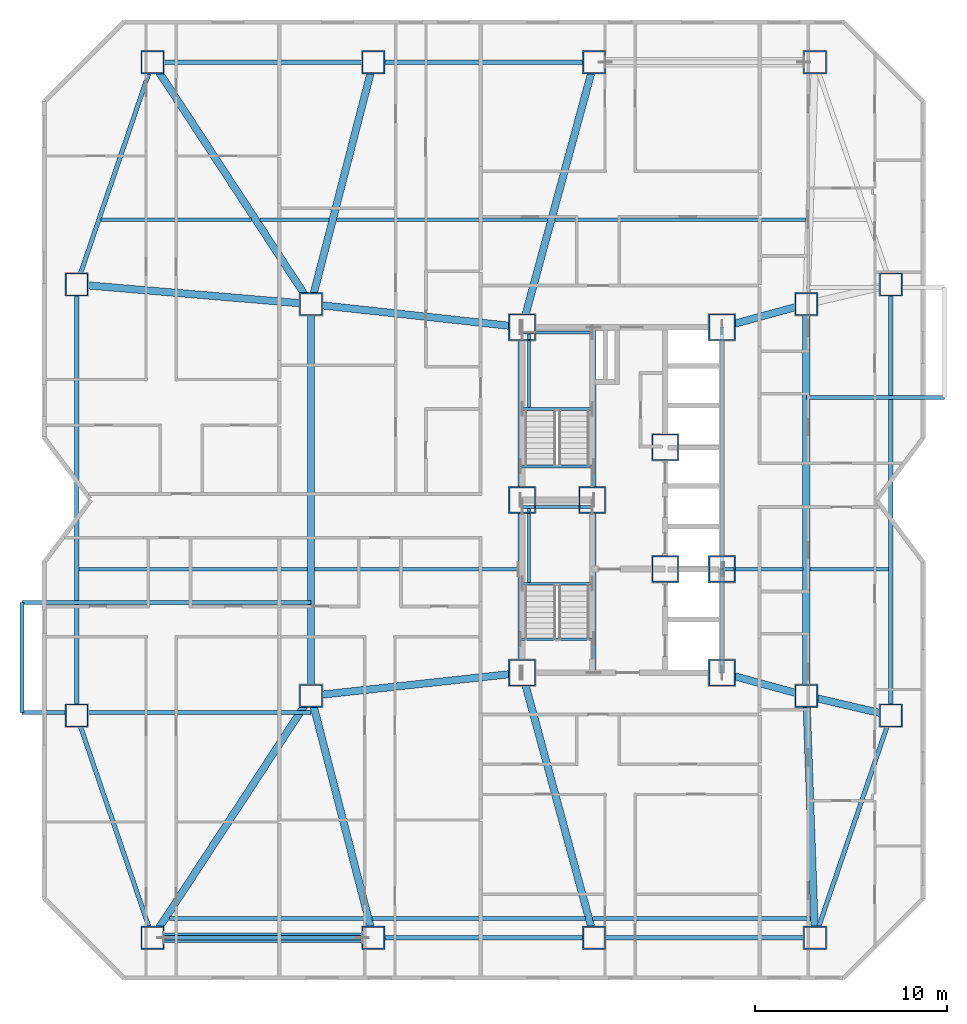
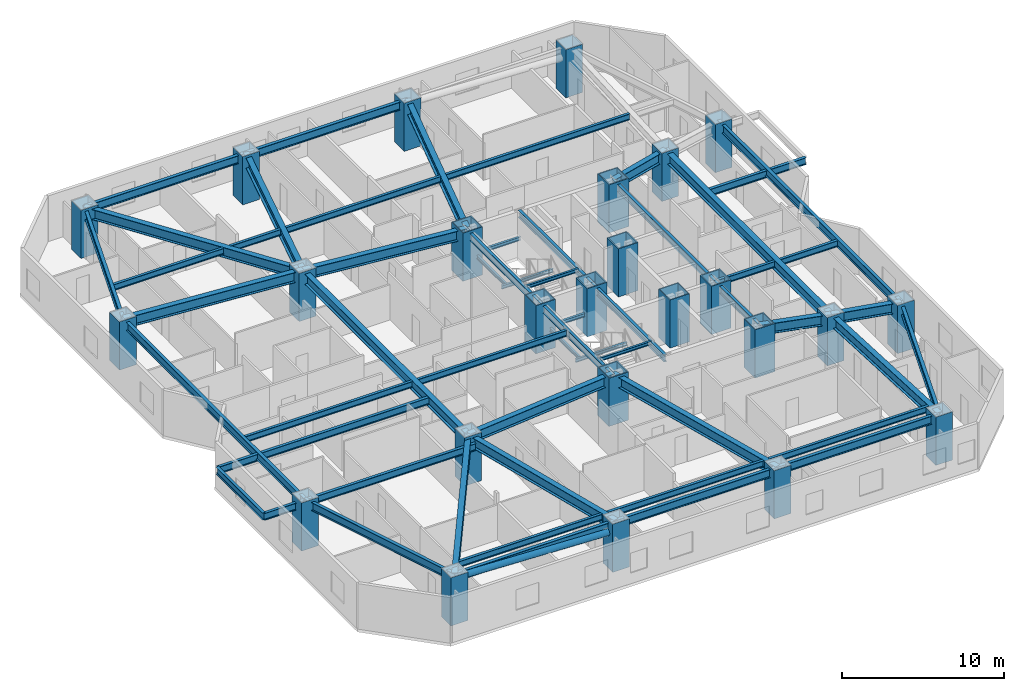
# One storey, part 1 of 14: 54 beams, 25 columns, 1 member.
"""IFC4 building model written with IfcOpenShell, lengths in metres."""

from ifc_helpers import new_model, si_unit, direction, frame, origin, origin_2d, place, context, subcontext, project, spatial, hollow_rectangle, hollow_circle, i_section, extrude, material, material_profile, profile_set, type_object, element, save


model = new_model("IFC4")

# Units and contexts
model_context = context("Model", 3, precision=1e-05, world=origin(), true_north=direction((0.0, 1.0)))
body_context = subcontext(model_context, "Body", "Model", "MODEL_VIEW")
ifc_project = project(units=[si_unit("LENGTHUNIT", "METRE"), si_unit("AREAUNIT", "SQUARE_METRE"), si_unit("VOLUMEUNIT", "CUBIC_METRE"), si_unit("PLANEANGLEUNIT", "RADIAN"), si_unit("MASSUNIT", "GRAM", prefix="KILO")], contexts=[model_context])

# Site, building, storey
site_placement = place(None, origin())
site = spatial("IfcSite", under=ifc_project, at=site_placement, CompositionType="ELEMENT")
building_placement = place(site_placement, origin())
building = spatial("IfcBuilding", under=site, at=building_placement, Name="Khamvora Tower", CompositionType="ELEMENT")
storey_placement = place(building_placement, frame((0.0, 0.0, 40.60009765625)))
storey = spatial("IfcBuildingStorey", under=building, at=storey_placement, Name="L09", CompositionType="ELEMENT", Elevation=40.60009765625)

# Columns
ifc_material_1 = material(Name="Steel S460", Category="steel")
ifc_material_profile_1 = material_profile(ifc_material_1, hollow_rectangle(XDim=1.199951171875, YDim=1.199951171875, WallThickness=0.06005859375, at=origin_2d()), Name="BOX1200x1200x60")
ifc_profile_set_1 = profile_set([ifc_material_profile_1], Name="Steel S460")
column_type_1 = type_object("IfcColumnType", Name="COL-BOX1200", PredefinedType="COLUMN", material=ifc_profile_set_1)
for number, where, z_axis, x_axis, name in (
    (1, (9.75, 5.199951171875, 0.0), (0.0, 0.0, 1.0), (1.0, 0.0, 0.0), "L09 structural frame column S1"),
    (2, (21.25, 5.199951171875, 0.0), (0.0, 0.0, 1.0), (1.0, 0.0, 0.0), "L09 structural frame column S2"),
    (3, (32.75, 5.199951171875, 0.0), (0.0, 0.0, 1.0), (1.0, 0.0, 0.0), "L09 structural frame column S3"),
    (4, (44.25, 5.199951171875, 0.0), (0.0, 0.0, 1.0), (1.0, 0.0, 0.0), "L09 structural frame column S4"),
    (5, (9.75, 50.800048828125, 0.0), (0.0, 0.0, 1.0), (1.0, 0.0, 0.0), "L09 structural frame column N1"),
    (6, (21.25, 50.800048828125, 0.0), (0.0, 0.0, 1.0), (1.0, 0.0, 0.0), "L09 structural frame column N2"),
    (7, (32.75, 50.800048828125, 0.0), (0.0, 0.0, 1.0), (1.0, 0.0, 0.0), "L09 structural frame column N3"),
    (8, (44.25, 50.800048828125, 0.0), (0.0, 0.0, 1.0), (1.0, 0.0, 0.0), "L09 structural frame column N4"),
    (9, (5.800048828125, 16.77490234375, 0.0), (0.0, 0.0, 1.0), (1.0, 0.0, 0.0), "L09 structural frame column W1"),
    (10, (5.800048828125, 39.22509765625, 0.0), (0.0, 0.0, 1.0), (1.0, 0.0, 0.0), "L09 structural frame column W2"),
    (11, (48.199951171875, 16.77490234375, 0.0), (0.0, 0.0, 1.0), (1.0, 0.0, 0.0), "L09 structural frame column E1"),
    (12, (48.199951171875, 39.22509765625, 0.0), (0.0, 0.0, 1.0), (1.0, 0.0, 0.0), "L09 structural frame column E2"),
    (13, (18.0, 17.800048828125, 0.0), (0.0, 0.0, 1.0), (1.0, 0.0, 0.0), "L09 structural frame column MW1"),
    (14, (18.0, 38.199951171875, 0.0), (0.0, 0.0, 1.0), (1.0, 0.0, 0.0), "L09 structural frame column MW2"),
    (15, (43.800048828125, 17.800048828125, 0.0), (0.0, 0.0, 1.0), (1.0, 0.0, 0.0), "L09 structural frame column M1"),
    (16, (43.800048828125, 38.199951171875, 0.0), (0.0, 0.0, 1.0), (1.0, 0.0, 0.0), "L09 structural frame column M2"),
):
    element("IfcColumn", number, at=place(storey_placement, frame(where, z_axis=z_axis, x_axis=x_axis)), inside=storey, type_object=column_type_1, Name=name, PredefinedType="COLUMN", context=body_context, shape_type="SweptSolid", body=[
        extrude(hollow_rectangle(XDim=1.199951171875, YDim=1.199951171875, WallThickness=0.06005859375, at=origin_2d()), origin(), (0.0, 0.0, 1.0), 3.625),
    ])
ifc_material_profile_2 = material_profile(ifc_material_1, hollow_rectangle(XDim=1.39990234375, YDim=1.39990234375, WallThickness=0.070068359375, at=origin_2d()), Name="BOX1400x1400x70")
ifc_profile_set_2 = profile_set([ifc_material_profile_2], Name="Steel S460")
column_type_2 = type_object("IfcColumnType", Name="COL-BOX1400", PredefinedType="COLUMN", material=ifc_profile_set_2)
for number, where, z_axis, x_axis, name in (
    (17, (29.0, 19.0, 0.0), (0.0, 0.0, 1.0), (1.0, 0.0, 0.0), "L09 plumb core spine column SC1"),
    (18, (32.64990234375, 28.0, 0.0), (0.0, 0.0, 1.0), (1.0, 0.0, 0.0), "L09 plumb core spine column SC2"),
    (19, (39.39990234375, 19.0, 0.0), (0.0, 0.0, 1.0), (1.0, 0.0, 0.0), "L09 plumb core spine column SC3"),
    (20, (29.0, 28.0, 0.0), (0.0, 0.0, 1.0), (1.0, 0.0, 0.0), "L09 plumb core spine column SC4"),
    (21, (36.449951171875, 24.39990234375, 0.0), (0.0, 0.0, 1.0), (1.0, 0.0, 0.0), "L09 plumb core spine column SC5"),
    (22, (39.39990234375, 24.39990234375, 0.0), (0.0, 0.0, 1.0), (1.0, 0.0, 0.0), "L09 plumb core spine column SC6"),
    (23, (29.0, 37.0, 0.0), (0.0, 0.0, 1.0), (1.0, 0.0, 0.0), "L09 plumb core spine column SC7"),
    (24, (36.449951171875, 30.75, 0.0), (0.0, 0.0, 1.0), (1.0, 0.0, 0.0), "L09 plumb core spine column SC8"),
    (25, (39.39990234375, 37.0, 0.0), (0.0, 0.0, 1.0), (1.0, 0.0, 0.0), "L09 plumb core spine column SC9"),
):
    element("IfcColumn", number, at=place(storey_placement, frame(where, z_axis=z_axis, x_axis=x_axis)), inside=storey, type_object=column_type_2, Name=name, PredefinedType="COLUMN", context=body_context, shape_type="SweptSolid", body=[
        extrude(hollow_rectangle(XDim=1.39990234375, YDim=1.39990234375, WallThickness=0.070068359375, at=origin_2d()), origin(), (0.0, 0.0, 1.0), 3.625),
    ])

# Beams
ifc_material_2 = material(Name="Steel S355", Category="steel")
ifc_material_profile_3 = material_profile(ifc_material_2, i_section(OverallWidth=0.19189453125, OverallDepth=0.462890625, WebThickness=0.010986328125, FlangeThickness=0.01806640625, FilletRadius=0.011962890625, at=origin_2d()), Name="W460x89")
ifc_profile_set_3 = profile_set([ifc_material_profile_3], Name="Steel S355")
beam_type_1 = type_object("IfcBeamType", Name="BM-JS-W460x89", PredefinedType="JOIST", material=ifc_profile_set_3)
beam_1_placement = place(storey_placement, frame((10.626953125, 6.199951171875, 3.198974609375), z_axis=(1.0, 0.0, 0.0), x_axis=(0.0, 1.0, 0.0)))
element("IfcBeam", 26, at=beam_1_placement, inside=storey, type_object=beam_type_1, Name="L09 secondary floor joist 01", PredefinedType="JOIST", context=body_context, shape_type="SweptSolid", body=[
    extrude(i_section(OverallWidth=0.19189453125, OverallDepth=0.462890625, WebThickness=0.010986328125, FlangeThickness=0.01806640625, FilletRadius=0.011962890625, at=origin_2d()), origin(), (0.0, 0.0, 1.0), 10.173095703125),
])
beam_2_placement = place(storey_placement, frame((21.18408203125, 6.199951171875, 3.198974609375), z_axis=(1.0, 0.0, 0.0), x_axis=(0.0, 1.0, 0.0)))
element("IfcBeam", 27, at=beam_2_placement, inside=storey, type_object=beam_type_1, Name="L09 secondary floor joist 02", PredefinedType="JOIST", context=body_context, shape_type="SweptSolid", body=[
    extrude(i_section(OverallWidth=0.19189453125, OverallDepth=0.462890625, WebThickness=0.010986328125, FlangeThickness=0.01806640625, FilletRadius=0.011962890625, at=origin_2d()), origin(), (0.0, 0.0, 1.0), 11.101806640625),
])
beam_3_placement = place(storey_placement, frame((32.6708984375, 6.199951171875, 3.198974609375), z_axis=(1.0, 0.0, 0.0), x_axis=(0.0, 1.0, 0.0)))
element("IfcBeam", 28, at=beam_3_placement, inside=storey, type_object=beam_type_1, Name="L09 secondary floor joist 03", PredefinedType="JOIST", context=body_context, shape_type="SweptSolid", body=[
    extrude(i_section(OverallWidth=0.19189453125, OverallDepth=0.462890625, WebThickness=0.010986328125, FlangeThickness=0.01806640625, FilletRadius=0.011962890625, at=origin_2d()), origin(), (0.0, 0.0, 1.0), 11.358154296875),
])
beam_4_placement = place(storey_placement, frame((5.909912109375, 24.39990234375, 3.198974609375), z_axis=(1.0, 0.0, 0.0), x_axis=(0.0, 1.0, 0.0)))
element("IfcBeam", 29, at=beam_4_placement, inside=storey, type_object=beam_type_1, Name="L09 secondary floor joist 04", PredefinedType="JOIST", context=body_context, shape_type="SweptSolid", body=[
    extrude(i_section(OverallWidth=0.19189453125, OverallDepth=0.462890625, WebThickness=0.010986328125, FlangeThickness=0.01806640625, FilletRadius=0.011962890625, at=origin_2d()), origin(), (0.0, 0.0, 1.0), 11.904052734375),
])
beam_5_placement = place(storey_placement, frame((18.18603515625, 24.39990234375, 3.198974609375), z_axis=(1.0, 0.0, 0.0), x_axis=(0.0, 1.0, 0.0)))
element("IfcBeam", 30, at=beam_5_placement, inside=storey, type_object=beam_type_1, Name="L09 secondary floor joist 05", PredefinedType="JOIST", context=body_context, shape_type="SweptSolid", body=[
    extrude(i_section(OverallWidth=0.19189453125, OverallDepth=0.462890625, WebThickness=0.010986328125, FlangeThickness=0.01806640625, FilletRadius=0.011962890625, at=origin_2d()), origin(), (0.0, 0.0, 1.0), 10.614013671875),
])
beam_6_placement = place(storey_placement, frame((39.4990234375, 24.39990234375, 3.198974609375), z_axis=(1.0, 0.0, 0.0), x_axis=(0.0, 1.0, 0.0)))
element("IfcBeam", 31, at=beam_6_placement, inside=storey, type_object=beam_type_1, Name="L09 secondary floor joist 06", PredefinedType="JOIST", context=body_context, shape_type="SweptSolid", body=[
    extrude(i_section(OverallWidth=0.19189453125, OverallDepth=0.462890625, WebThickness=0.010986328125, FlangeThickness=0.01806640625, FilletRadius=0.011962890625, at=origin_2d()), origin(), (0.0, 0.0, 1.0), 4.114990234375),
])
beam_7_placement = place(storey_placement, frame((43.985107421875, 24.39990234375, 3.198974609375), z_axis=(1.0, 0.0, 0.0), x_axis=(0.0, 1.0, 0.0)))
element("IfcBeam", 32, at=beam_7_placement, inside=storey, type_object=beam_type_1, Name="L09 secondary floor joist 07", PredefinedType="JOIST", context=body_context, shape_type="SweptSolid", body=[
    extrude(i_section(OverallWidth=0.19189453125, OverallDepth=0.462890625, WebThickness=0.010986328125, FlangeThickness=0.01806640625, FilletRadius=0.011962890625, at=origin_2d()), origin(), (0.0, 0.0, 1.0), 4.10498046875),
])
beam_8_placement = place(storey_placement, frame((7.068115234375, 42.60009765625, 3.198974609375), z_axis=(1.0, 0.0, 0.0), x_axis=(0.0, 1.0, 0.0)))
element("IfcBeam", 33, at=beam_8_placement, inside=storey, type_object=beam_type_1, Name="L09 secondary floor joist 08", PredefinedType="JOIST", context=body_context, shape_type="SweptSolid", body=[
    extrude(i_section(OverallWidth=0.19189453125, OverallDepth=0.462890625, WebThickness=0.010986328125, FlangeThickness=0.01806640625, FilletRadius=0.011962890625, at=origin_2d()), origin(), (0.0, 0.0, 1.0), 7.827880859375),
])
beam_9_placement = place(storey_placement, frame((15.342041015625, 42.60009765625, 3.198974609375), z_axis=(1.0, 0.0, 0.0), x_axis=(0.0, 1.0, 0.0)))
element("IfcBeam", 34, at=beam_9_placement, inside=storey, type_object=beam_type_1, Name="L09 secondary floor joist 09", PredefinedType="JOIST", context=body_context, shape_type="SweptSolid", body=[
    extrude(i_section(OverallWidth=0.19189453125, OverallDepth=0.462890625, WebThickness=0.010986328125, FlangeThickness=0.01806640625, FilletRadius=0.011962890625, at=origin_2d()), origin(), (0.0, 0.0, 1.0), 3.60107421875),
])
beam_10_placement = place(storey_placement, frame((19.326904296875, 42.60009765625, 3.198974609375), z_axis=(1.0, 0.0, 0.0), x_axis=(0.0, 1.0, 0.0)))
element("IfcBeam", 35, at=beam_10_placement, inside=storey, type_object=beam_type_1, Name="L09 secondary floor joist 10", PredefinedType="JOIST", context=body_context, shape_type="SweptSolid", body=[
    extrude(i_section(OverallWidth=0.19189453125, OverallDepth=0.462890625, WebThickness=0.010986328125, FlangeThickness=0.01806640625, FilletRadius=0.011962890625, at=origin_2d()), origin(), (0.0, 0.0, 1.0), 11.002197265625),
])
beam_11_placement = place(storey_placement, frame((30.714111328125, 42.60009765625, 3.198974609375), z_axis=(1.0, 0.0, 0.0), x_axis=(0.0, 1.0, 0.0)))
element("IfcBeam", 36, at=beam_11_placement, inside=storey, type_object=beam_type_1, Name="L09 secondary floor joist 11", PredefinedType="JOIST", context=body_context, shape_type="SweptSolid", body=[
    extrude(i_section(OverallWidth=0.19189453125, OverallDepth=0.462890625, WebThickness=0.010986328125, FlangeThickness=0.01806640625, FilletRadius=0.011962890625, at=origin_2d()), origin(), (0.0, 0.0, 1.0), 13.057861328125),
])
ifc_material_profile_4 = material_profile(ifc_material_2, i_section(OverallWidth=0.14697265625, OverallDepth=0.261962890625, WebThickness=0.007080078125, FlangeThickness=0.010986328125, FilletRadius=0.008056640625, at=origin_2d()), Name="W250x39")
ifc_profile_set_4 = profile_set([ifc_material_profile_4], Name="Steel S355")
beam_type_2 = type_object("IfcBeamType", Name="BM-LN-W250x39", PredefinedType="LINTEL", material=ifc_profile_set_4)
for number, where, z_axis, x_axis, name in (
    (37, (29.0, 23.635009765625, 1.493896484375), (1.0, 0.0, 0.0), (0.0, 1.0, 0.0), "L09 ST-01 half-landing support beam 1.1"),
    (38, (29.0, 27.6298828125, 1.493896484375), (1.0, 0.0, 0.0), (0.0, 1.0, 0.0), "L09 ST-01 half-landing support beam 1.2"),
):
    element("IfcBeam", number, at=place(storey_placement, frame(where, z_axis=z_axis, x_axis=x_axis)), inside=storey, type_object=beam_type_2, Name=name, PredefinedType="LINTEL", context=body_context, shape_type="SweptSolid", body=[
        extrude(i_section(OverallWidth=0.14697265625, OverallDepth=0.261962890625, WebThickness=0.007080078125, FlangeThickness=0.010986328125, FilletRadius=0.008056640625, at=origin_2d()), origin(), (0.0, 0.0, 1.0), 3.64990234375),
    ])
beam_12_placement = place(storey_placement, frame((29.35009765625, 23.635009765625, 1.493896484375), z_axis=(0.0, 1.0, 0.0), x_axis=(-1.0, 0.0, 0.0)))
element("IfcBeam", 39, at=beam_12_placement, inside=storey, type_object=beam_type_2, Name="L09 ST-01 half-landing edge stringer 1", PredefinedType="LINTEL", context=body_context, shape_type="SweptSolid", body=[
    extrude(i_section(OverallWidth=0.14697265625, OverallDepth=0.261962890625, WebThickness=0.007080078125, FlangeThickness=0.010986328125, FilletRadius=0.008056640625, at=origin_2d()), origin(), (0.0, 0.0, 1.0), 3.994873046875),
])
for number, where, z_axis, x_axis, name in (
    (40, (29.0, 32.735107421875, 1.493896484375), (1.0, 0.0, 0.0), (0.0, 1.0, 0.0), "L09 ST-02 half-landing support beam 1.1"),
    (41, (29.0, 36.72998046875, 1.493896484375), (1.0, 0.0, 0.0), (0.0, 1.0, 0.0), "L09 ST-02 half-landing support beam 1.2"),
):
    element("IfcBeam", number, at=place(storey_placement, frame(where, z_axis=z_axis, x_axis=x_axis)), inside=storey, type_object=beam_type_2, Name=name, PredefinedType="LINTEL", context=body_context, shape_type="SweptSolid", body=[
        extrude(i_section(OverallWidth=0.14697265625, OverallDepth=0.261962890625, WebThickness=0.007080078125, FlangeThickness=0.010986328125, FilletRadius=0.008056640625, at=origin_2d()), origin(), (0.0, 0.0, 1.0), 3.64990234375),
    ])
beam_13_placement = place(storey_placement, frame((29.35009765625, 32.735107421875, 1.493896484375), z_axis=(0.0, 1.0, 0.0), x_axis=(-1.0, 0.0, 0.0)))
element("IfcBeam", 42, at=beam_13_placement, inside=storey, type_object=beam_type_2, Name="L09 ST-02 half-landing edge stringer 1", PredefinedType="LINTEL", context=body_context, shape_type="SweptSolid", body=[
    extrude(i_section(OverallWidth=0.14697265625, OverallDepth=0.261962890625, WebThickness=0.007080078125, FlangeThickness=0.010986328125, FilletRadius=0.008056640625, at=origin_2d()), origin(), (0.0, 0.0, 1.0), 3.994873046875),
])
for number, where, z_axis, x_axis, name in (
    (43, (28.89990234375, 20.75, 3.303955078125), (1.0, 0.0, 0.0), (0.0, 1.0, 0.0), "L09 exit stair ST-01 landing trimmer beam"),
    (44, (28.89990234375, 29.75, 3.303955078125), (1.0, 0.0, 0.0), (0.0, 1.0, 0.0), "L09 exit stair ST-02 landing trimmer beam"),
):
    element("IfcBeam", number, at=place(storey_placement, frame(where, z_axis=z_axis, x_axis=x_axis)), inside=storey, type_object=beam_type_2, Name=name, PredefinedType="LINTEL", context=body_context, shape_type="SweptSolid", body=[
        extrude(i_section(OverallWidth=0.14697265625, OverallDepth=0.261962890625, WebThickness=0.007080078125, FlangeThickness=0.010986328125, FilletRadius=0.008056640625, at=origin_2d()), origin(), (0.0, 0.0, 1.0), 3.830078125),
    ])
ifc_material_profile_5 = material_profile(ifc_material_2, i_section(OverallWidth=0.381103515625, OverallDepth=0.77294921875, WebThickness=0.01708984375, FlangeThickness=0.027099609375, FilletRadius=0.01806640625, at=origin_2d()), Name="W760x257")
ifc_profile_set_5 = profile_set([ifc_material_profile_5], Name="Steel S355")
beam_type_3 = type_object("IfcBeamType", Name="BM-PG-W760x257", PredefinedType="BEAM", material=ifc_profile_set_5)
for number, where, z_axis, x_axis, name in (
    (45, (43.800048828125, 17.800048828125, 3.0439453125), (0.0, 1.0, 0.0), (-1.0, 0.0, 0.0), "L09 longitudinal frame girder M1-M2"),
    (46, (18.0, 17.800048828125, 3.0439453125), (0.0, 1.0, 0.0), (-1.0, 0.0, 0.0), "L09 longitudinal frame girder MW1-MW2"),
):
    element("IfcBeam", number, at=place(storey_placement, frame(where, z_axis=z_axis, x_axis=x_axis)), inside=storey, type_object=beam_type_3, Name=name, PredefinedType="BEAM", context=body_context, shape_type="SweptSolid", body=[
        extrude(i_section(OverallWidth=0.381103515625, OverallDepth=0.77294921875, WebThickness=0.01708984375, FlangeThickness=0.027099609375, FilletRadius=0.01806640625, at=origin_2d()), origin(), (0.0, 0.0, 1.0), 20.39990234375),
    ])
beam_14_placement = place(storey_placement, frame((18.0, 17.800048828125, 3.0439453125), z_axis=(-0.547782969742, -0.836620474325, 0.0), x_axis=(0.836620474325, -0.547782969742, 0.0)))
element("IfcBeam", 47, at=beam_14_placement, inside=storey, type_object=beam_type_3, Name="L09 primary floor girder S1", PredefinedType="BEAM", context=body_context, shape_type="SweptSolid", body=[
    extrude(i_section(OverallWidth=0.381103515625, OverallDepth=0.77294921875, WebThickness=0.01708984375, FlangeThickness=0.027099609375, FilletRadius=0.01806640625, at=origin_2d()), origin(), (0.0, 0.0, 1.0), 15.060791015625),
])
beam_15_placement = place(storey_placement, frame((18.0, 17.800048828125, 3.0439453125), z_axis=(0.249759990341, -0.968307775051, 0.0), x_axis=(0.968307775051, 0.249759990341, 0.0)))
element("IfcBeam", 48, at=beam_15_placement, inside=storey, type_object=beam_type_3, Name="L09 primary floor girder S2", PredefinedType="BEAM", context=body_context, shape_type="SweptSolid", body=[
    extrude(i_section(OverallWidth=0.381103515625, OverallDepth=0.77294921875, WebThickness=0.01708984375, FlangeThickness=0.027099609375, FilletRadius=0.01806640625, at=origin_2d()), origin(), (0.0, 0.0, 1.0), 13.012451171875),
])
beam_16_placement = place(storey_placement, frame((29.0, 19.0, 3.0439453125), z_axis=(0.262228883577, -0.965005706003, 0.0), x_axis=(0.965005706003, 0.262228883577, 0.0)))
element("IfcBeam", 49, at=beam_16_placement, inside=storey, type_object=beam_type_3, Name="L09 primary floor girder S3", PredefinedType="BEAM", context=body_context, shape_type="SweptSolid", body=[
    extrude(i_section(OverallWidth=0.381103515625, OverallDepth=0.77294921875, WebThickness=0.01708984375, FlangeThickness=0.027099609375, FilletRadius=0.01806640625, at=origin_2d()), origin(), (0.0, 0.0, 1.0), 14.300537109375),
])
beam_17_placement = place(storey_placement, frame((43.800048828125, 17.800048828125, 3.0439453125), z_axis=(0.035687386423, -0.999363002342, 0.0), x_axis=(0.999363002342, 0.035687386423, 0.0)))
element("IfcBeam", 50, at=beam_17_placement, inside=storey, type_object=beam_type_3, Name="L09 primary floor girder S4", PredefinedType="BEAM", context=body_context, shape_type="SweptSolid", body=[
    extrude(i_section(OverallWidth=0.381103515625, OverallDepth=0.77294921875, WebThickness=0.01708984375, FlangeThickness=0.027099609375, FilletRadius=0.01806640625, at=origin_2d()), origin(), (0.0, 0.0, 1.0), 12.608154296875),
])
beam_18_placement = place(storey_placement, frame((18.0, 38.199951171875, 3.0439453125), z_axis=(-0.547782969742, 0.836620474325, 0.0), x_axis=(-0.836620474325, -0.547782969742, 0.0)))
element("IfcBeam", 51, at=beam_18_placement, inside=storey, type_object=beam_type_3, Name="L09 primary floor girder N1", PredefinedType="BEAM", context=body_context, shape_type="SweptSolid", body=[
    extrude(i_section(OverallWidth=0.381103515625, OverallDepth=0.77294921875, WebThickness=0.01708984375, FlangeThickness=0.027099609375, FilletRadius=0.01806640625, at=origin_2d()), origin(), (0.0, 0.0, 1.0), 15.060791015625),
])
beam_19_placement = place(storey_placement, frame((18.0, 38.199951171875, 3.0439453125), z_axis=(0.249759990341, 0.968307775051, 0.0), x_axis=(-0.968307775051, 0.249759990341, 0.0)))
element("IfcBeam", 52, at=beam_19_placement, inside=storey, type_object=beam_type_3, Name="L09 primary floor girder N2", PredefinedType="BEAM", context=body_context, shape_type="SweptSolid", body=[
    extrude(i_section(OverallWidth=0.381103515625, OverallDepth=0.77294921875, WebThickness=0.01708984375, FlangeThickness=0.027099609375, FilletRadius=0.01806640625, at=origin_2d()), origin(), (0.0, 0.0, 1.0), 13.012451171875),
])
beam_20_placement = place(storey_placement, frame((29.0, 37.0, 3.0439453125), z_axis=(0.262228883577, 0.965005706003, 0.0), x_axis=(-0.965005706003, 0.262228883577, 0.0)))
element("IfcBeam", 53, at=beam_20_placement, inside=storey, type_object=beam_type_3, Name="L09 primary floor girder N3", PredefinedType="BEAM", context=body_context, shape_type="SweptSolid", body=[
    extrude(i_section(OverallWidth=0.381103515625, OverallDepth=0.77294921875, WebThickness=0.01708984375, FlangeThickness=0.027099609375, FilletRadius=0.01806640625, at=origin_2d()), origin(), (0.0, 0.0, 1.0), 14.300537109375),
])
beam_21_placement = place(storey_placement, frame((18.0, 38.199951171875, 3.0439453125), z_axis=(-0.996488172114, 0.083733642207, 0.0), x_axis=(-0.083733642207, -0.996488172114, 0.0)))
element("IfcBeam", 54, at=beam_21_placement, inside=storey, type_object=beam_type_3, Name="L09 primary floor girder W2", PredefinedType="BEAM", context=body_context, shape_type="SweptSolid", body=[
    extrude(i_section(OverallWidth=0.381103515625, OverallDepth=0.77294921875, WebThickness=0.01708984375, FlangeThickness=0.027099609375, FilletRadius=0.01806640625, at=origin_2d()), origin(), (0.0, 0.0, 1.0), 12.242919921875),
])
beam_22_placement = place(storey_placement, frame((43.800048828125, 17.800048828125, 3.0439453125), z_axis=(0.973914503503, -0.226915270237, 0.0), x_axis=(0.226915270237, 0.973914503503, 0.0)))
element("IfcBeam", 55, at=beam_22_placement, inside=storey, type_object=beam_type_3, Name="L09 primary floor girder E1", PredefinedType="BEAM", context=body_context, shape_type="SweptSolid", body=[
    extrude(i_section(OverallWidth=0.381103515625, OverallDepth=0.77294921875, WebThickness=0.01708984375, FlangeThickness=0.027099609375, FilletRadius=0.01806640625, at=origin_2d()), origin(), (0.0, 0.0, 1.0), 4.517822265625),
])
for number, where, z_axis, x_axis, name in (
    (56, (29.0, 19.0, 3.0439453125), (-0.994102652327, -0.108443149329, 0.0), (0.108443149329, -0.994102652327, 0.0), "L09 primary floor girder MW1"),
    (57, (29.0, 37.0, 3.0439453125), (-0.994102652327, 0.108443149329, 0.0), (-0.108443149329, -0.994102652327, 0.0), "L09 primary floor girder MW2"),
):
    element("IfcBeam", number, at=place(storey_placement, frame(where, z_axis=z_axis, x_axis=x_axis)), inside=storey, type_object=beam_type_3, Name=name, PredefinedType="BEAM", context=body_context, shape_type="SweptSolid", body=[
        extrude(i_section(OverallWidth=0.381103515625, OverallDepth=0.77294921875, WebThickness=0.01708984375, FlangeThickness=0.027099609375, FilletRadius=0.01806640625, at=origin_2d()), origin(), (0.0, 0.0, 1.0), 11.065185546875),
    ])
for number, where, z_axis, x_axis, name in (
    (58, (39.39990234375, 19.0, 3.0439453125), (0.964768762286, -0.263099287945, 0.0), (0.263099287945, 0.964768762286, 0.0), "L09 primary floor girder M1"),
    (59, (39.39990234375, 37.0, 3.0439453125), (0.964768762286, 0.263099287945, 0.0), (-0.263099287945, 0.964768762286, 0.0), "L09 primary floor girder M2"),
):
    element("IfcBeam", number, at=place(storey_placement, frame(where, z_axis=z_axis, x_axis=x_axis)), inside=storey, type_object=beam_type_3, Name=name, PredefinedType="BEAM", context=body_context, shape_type="SweptSolid", body=[
        extrude(i_section(OverallWidth=0.381103515625, OverallDepth=0.77294921875, WebThickness=0.01708984375, FlangeThickness=0.027099609375, FilletRadius=0.01806640625, at=origin_2d()), origin(), (0.0, 0.0, 1.0), 4.560791015625),
    ])
ifc_material_profile_6 = material_profile(ifc_material_2, i_section(OverallWidth=0.208984375, OverallDepth=0.532958984375, WebThickness=0.010009765625, FlangeThickness=0.01611328125, FilletRadius=0.013916015625, at=origin_2d()), Name="W530x92")
ifc_profile_set_6 = profile_set([ifc_material_profile_6], Name="Steel S355")
beam_type_4 = type_object("IfcBeamType", Name="BM-SP-W530x92", PredefinedType="SPANDREL", material=ifc_profile_set_6)
for number, where, z_axis, x_axis, name in (
    (60, (28.89990234375, 19.0, 3.163818359375), (0.0, 1.0, 0.0), (-1.0, 0.0, 0.0), "L09 core spine girder WS"),
    (61, (28.89990234375, 28.0, 3.163818359375), (0.0, 1.0, 0.0), (-1.0, 0.0, 0.0), "L09 core spine girder WN"),
    (62, (32.72998046875, 19.0, 3.163818359375), (0.0, 1.0, 0.0), (-1.0, 0.0, 0.0), "L09 core spine girder M1S"),
    (63, (32.72998046875, 28.0, 3.163818359375), (0.0, 1.0, 0.0), (-1.0, 0.0, 0.0), "L09 core spine girder M1N"),
):
    element("IfcBeam", number, at=place(storey_placement, frame(where, z_axis=z_axis, x_axis=x_axis)), inside=storey, type_object=beam_type_4, Name=name, PredefinedType="SPANDREL", context=body_context, shape_type="SweptSolid", body=[
        extrude(i_section(OverallWidth=0.208984375, OverallDepth=0.532958984375, WebThickness=0.010009765625, FlangeThickness=0.01611328125, FilletRadius=0.013916015625, at=origin_2d()), origin(), (0.0, 0.0, 1.0), 9.0),
    ])
beam_23_placement = place(storey_placement, frame((39.39990234375, 19.0, 3.163818359375), z_axis=(0.0, 1.0, 0.0), x_axis=(-1.0, 0.0, 0.0)))
element("IfcBeam", 64, at=beam_23_placement, inside=storey, type_object=beam_type_4, Name="L09 core spine girder ES", PredefinedType="SPANDREL", context=body_context, shape_type="SweptSolid", body=[
    extrude(i_section(OverallWidth=0.208984375, OverallDepth=0.532958984375, WebThickness=0.010009765625, FlangeThickness=0.01611328125, FilletRadius=0.013916015625, at=origin_2d()), origin(), (0.0, 0.0, 1.0), 5.39990234375),
])
beam_24_placement = place(storey_placement, frame((39.39990234375, 24.39990234375, 3.163818359375), z_axis=(0.0, 1.0, 0.0), x_axis=(-1.0, 0.0, 0.0)))
element("IfcBeam", 65, at=beam_24_placement, inside=storey, type_object=beam_type_4, Name="L09 core spine girder EN", PredefinedType="SPANDREL", context=body_context, shape_type="SweptSolid", body=[
    extrude(i_section(OverallWidth=0.208984375, OverallDepth=0.532958984375, WebThickness=0.010009765625, FlangeThickness=0.01611328125, FilletRadius=0.013916015625, at=origin_2d()), origin(), (0.0, 0.0, 1.0), 12.60009765625),
])
beam_25_placement = place(storey_placement, frame((43.800048828125, 33.35009765625, 2.962890625), z_axis=(1.0, 0.0, 0.0), x_axis=(0.0, 1.0, 0.0)))
element("IfcBeam", 66, at=beam_25_placement, inside=storey, type_object=beam_type_4, Name="L09 continuous gallery cantilever girder L10-EL2-1", PredefinedType="SPANDREL", context=body_context, shape_type="SweptSolid", body=[
    extrude(i_section(OverallWidth=0.208984375, OverallDepth=0.532958984375, WebThickness=0.010009765625, FlangeThickness=0.01611328125, FilletRadius=0.013916015625, at=origin_2d()), origin(), (0.0, 0.0, 1.0), 7.18505859375),
])
for number, where, z_axis, x_axis, name in (
    (67, (18.0, 16.925048828125, 2.962890625), (-1.0, 0.0, 0.0), (0.0, -1.0, 0.0), "L09 continuous gallery cantilever girder L10-WL1-1"),
    (68, (18.0, 22.64990234375, 2.962890625), (-1.0, 0.0, 0.0), (0.0, -1.0, 0.0), "L09 continuous gallery cantilever girder L10-WL1-2"),
):
    element("IfcBeam", number, at=place(storey_placement, frame(where, z_axis=z_axis, x_axis=x_axis)), inside=storey, type_object=beam_type_4, Name=name, PredefinedType="SPANDREL", context=body_context, shape_type="SweptSolid", body=[
        extrude(i_section(OverallWidth=0.208984375, OverallDepth=0.532958984375, WebThickness=0.010009765625, FlangeThickness=0.01611328125, FilletRadius=0.013916015625, at=origin_2d()), origin(), (0.0, 0.0, 1.0), 15.050048828125),
    ])
beam_26_placement = place(storey_placement, frame((2.949951171875, 16.925048828125, 2.962890625), z_axis=(0.0, 1.0, 0.0), x_axis=(-1.0, 0.0, 0.0)))
element("IfcBeam", 69, at=beam_26_placement, inside=storey, type_object=beam_type_4, Name="L09 external gallery edge header beam L10-WL1", PredefinedType="SPANDREL", context=body_context, shape_type="SweptSolid", body=[
    extrude(i_section(OverallWidth=0.208984375, OverallDepth=0.532958984375, WebThickness=0.010009765625, FlangeThickness=0.01611328125, FilletRadius=0.013916015625, at=origin_2d()), origin(), (0.0, 0.0, 1.0), 5.724853515625),
])
ifc_material_profile_7 = material_profile(ifc_material_2, i_section(OverallWidth=0.22998046875, OverallDepth=0.616943359375, WebThickness=0.012939453125, FlangeThickness=0.02197265625, FilletRadius=0.013916015625, at=origin_2d()), Name="W610x140")
ifc_profile_set_7 = profile_set([ifc_material_profile_7], Name="Steel S355")
beam_type_5 = type_object("IfcBeamType", Name="BM-SP-W610x140", PredefinedType="SPANDREL", material=ifc_profile_set_7)
beam_27_placement = place(storey_placement, frame((5.800048828125, 16.77490234375, 3.120849609375), z_axis=(0.322962893199, -0.946411628002, 0.0), x_axis=(0.946411628002, 0.322962893199, 0.0)))
element("IfcBeam", 70, at=beam_27_placement, inside=storey, type_object=beam_type_5, Name="L09 perimeter spandrel beam W1-S1", PredefinedType="SPANDREL", context=body_context, shape_type="SweptSolid", body=[
    extrude(i_section(OverallWidth=0.22998046875, OverallDepth=0.616943359375, WebThickness=0.012939453125, FlangeThickness=0.02197265625, FilletRadius=0.013916015625, at=origin_2d()), origin(), (0.0, 0.0, 1.0), 12.23046875),
])
for number, where, z_axis, x_axis, name in (
    (71, (9.75, 5.199951171875, 3.120849609375), (1.0, 0.0, 0.0), (0.0, 1.0, 0.0), "L09 perimeter spandrel beam S1-S2"),
    (72, (21.25, 5.199951171875, 3.120849609375), (1.0, 0.0, 0.0), (0.0, 1.0, 0.0), "L09 perimeter spandrel beam S2-S3"),
    (73, (32.75, 5.199951171875, 3.120849609375), (1.0, 0.0, 0.0), (0.0, 1.0, 0.0), "L09 perimeter spandrel beam S3-S4"),
):
    element("IfcBeam", number, at=place(storey_placement, frame(where, z_axis=z_axis, x_axis=x_axis)), inside=storey, type_object=beam_type_5, Name=name, PredefinedType="SPANDREL", context=body_context, shape_type="SweptSolid", body=[
        extrude(i_section(OverallWidth=0.22998046875, OverallDepth=0.616943359375, WebThickness=0.012939453125, FlangeThickness=0.02197265625, FilletRadius=0.013916015625, at=origin_2d()), origin(), (0.0, 0.0, 1.0), 11.5),
    ])
beam_28_placement = place(storey_placement, frame((44.25, 5.199951171875, 3.120849609375), z_axis=(0.322962893199, 0.946411628002, 0.0), x_axis=(-0.946411628002, 0.322962893199, 0.0)))
element("IfcBeam", 74, at=beam_28_placement, inside=storey, type_object=beam_type_5, Name="L09 perimeter spandrel beam S4-E1", PredefinedType="SPANDREL", context=body_context, shape_type="SweptSolid", body=[
    extrude(i_section(OverallWidth=0.22998046875, OverallDepth=0.616943359375, WebThickness=0.012939453125, FlangeThickness=0.02197265625, FilletRadius=0.013916015625, at=origin_2d()), origin(), (0.0, 0.0, 1.0), 12.23046875),
])
beam_29_placement = place(storey_placement, frame((48.199951171875, 16.77490234375, 3.120849609375), z_axis=(0.0, 1.0, 0.0), x_axis=(-1.0, 0.0, 0.0)))
element("IfcBeam", 75, at=beam_29_placement, inside=storey, type_object=beam_type_5, Name="L09 perimeter spandrel beam E1-E2", PredefinedType="SPANDREL", context=body_context, shape_type="SweptSolid", body=[
    extrude(i_section(OverallWidth=0.22998046875, OverallDepth=0.616943359375, WebThickness=0.012939453125, FlangeThickness=0.02197265625, FilletRadius=0.013916015625, at=origin_2d()), origin(), (0.0, 0.0, 1.0), 22.4501953125),
])
for number, where, z_axis, x_axis, name in (
    (76, (32.75, 50.800048828125, 3.120849609375), (-1.0, 0.0, 0.0), (0.0, -1.0, 0.0), "L09 perimeter spandrel beam N3-N2"),
    (77, (21.25, 50.800048828125, 3.120849609375), (-1.0, 0.0, 0.0), (0.0, -1.0, 0.0), "L09 perimeter spandrel beam N2-N1"),
):
    element("IfcBeam", number, at=place(storey_placement, frame(where, z_axis=z_axis, x_axis=x_axis)), inside=storey, type_object=beam_type_5, Name=name, PredefinedType="SPANDREL", context=body_context, shape_type="SweptSolid", body=[
        extrude(i_section(OverallWidth=0.22998046875, OverallDepth=0.616943359375, WebThickness=0.012939453125, FlangeThickness=0.02197265625, FilletRadius=0.013916015625, at=origin_2d()), origin(), (0.0, 0.0, 1.0), 11.5),
    ])
beam_30_placement = place(storey_placement, frame((9.75, 50.800048828125, 3.120849609375), z_axis=(-0.322962893199, -0.946411628002, 0.0), x_axis=(0.946411628002, -0.322962893199, 0.0)))
element("IfcBeam", 78, at=beam_30_placement, inside=storey, type_object=beam_type_5, Name="L09 perimeter spandrel beam N1-W2", PredefinedType="SPANDREL", context=body_context, shape_type="SweptSolid", body=[
    extrude(i_section(OverallWidth=0.22998046875, OverallDepth=0.616943359375, WebThickness=0.012939453125, FlangeThickness=0.02197265625, FilletRadius=0.013916015625, at=origin_2d()), origin(), (0.0, 0.0, 1.0), 12.23046875),
])
beam_31_placement = place(storey_placement, frame((5.800048828125, 39.22509765625, 3.120849609375), z_axis=(0.0, -1.0, 0.0), x_axis=(1.0, 0.0, 0.0)))
element("IfcBeam", 79, at=beam_31_placement, inside=storey, type_object=beam_type_5, Name="L09 perimeter spandrel beam W2-W1", PredefinedType="SPANDREL", context=body_context, shape_type="SweptSolid", body=[
    extrude(i_section(OverallWidth=0.22998046875, OverallDepth=0.616943359375, WebThickness=0.012939453125, FlangeThickness=0.02197265625, FilletRadius=0.013916015625, at=origin_2d()), origin(), (0.0, 0.0, 1.0), 22.4501953125),
])

# Member
ifc_material_profile_8 = material_profile(ifc_material_1, hollow_circle(Radius=0.25390625, WallThickness=0.02490234375, at=origin_2d()), Name="CHS508x25")
ifc_profile_set_8 = profile_set([ifc_material_profile_8], Name="Steel S460")
member_type = type_object("IfcMemberType", Name="MEM-BR-CHS508", PredefinedType="BRACE", material=ifc_profile_set_8)
member_placement = place(storey_placement, frame((20.669921875, 5.199951171875, 2.701904296875), z_axis=(-0.999263820948, 0.0, 0.038364256065), x_axis=(0.0, -1.0, 0.0)))
element("IfcMember", 80, at=member_placement, inside=storey, type_object=member_type, Name="L09 perimeter wind brace 1", PredefinedType="BRACE", context=body_context, shape_type="SweptSolid", body=[
    extrude(hollow_circle(Radius=0.25390625, WallThickness=0.02490234375, at=origin_2d()), origin(), (0.0, 0.0, 1.0), 10.347412109375),
])

save(model, "model.ifc")
